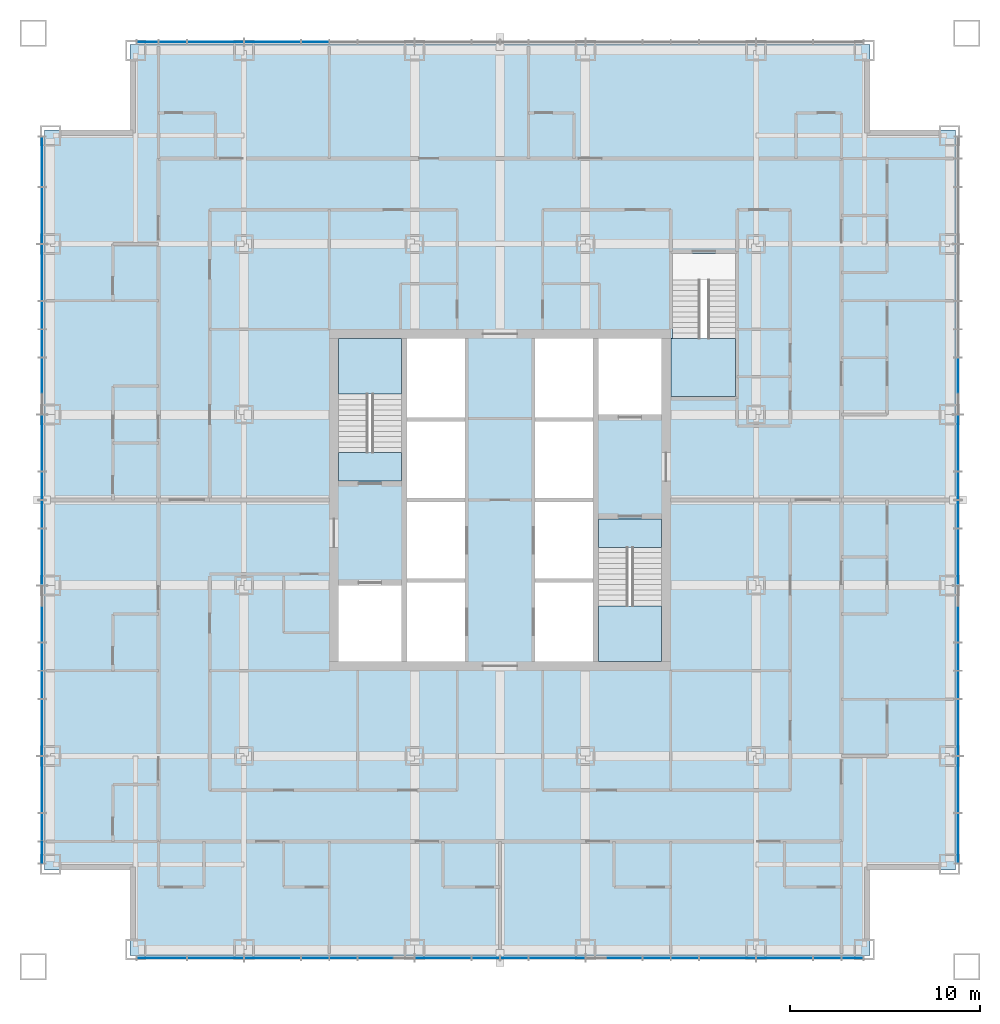
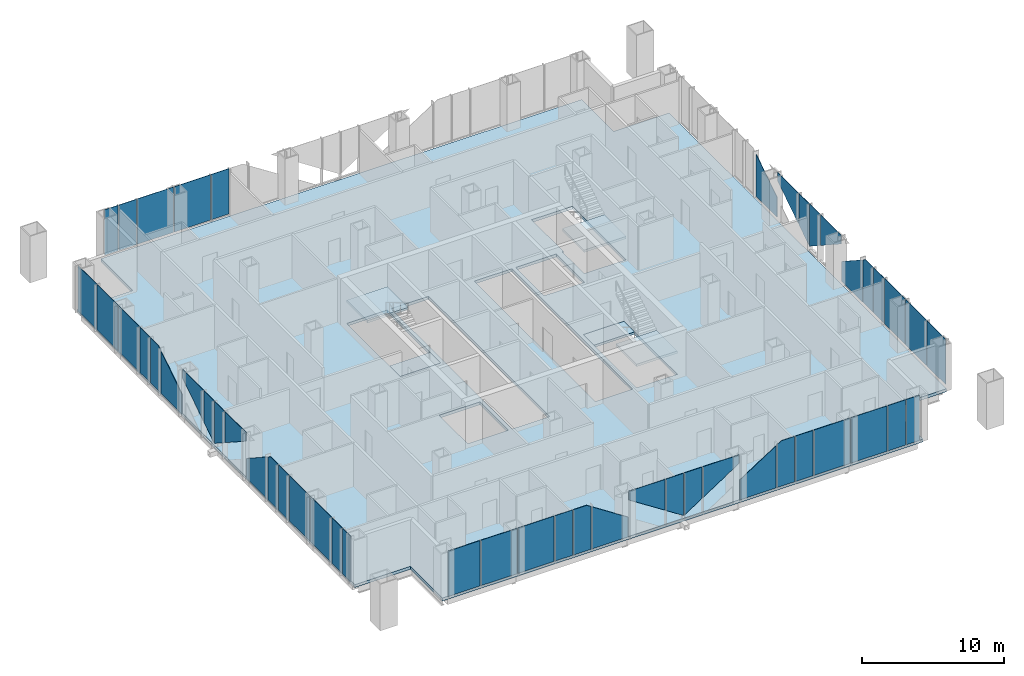
# One storey, part 7 of 13: 50 plates, 6 slabs, 7 elements without a shape of their own.
"""IFC4 building model written with IfcOpenShell, lengths in metres."""

from ifc_helpers import new_model, si_unit, direction, frame, origin, origin_2d, place, context, subcontext, project, spatial, polyline, rectangle, outline, extrude, material, layer, layer_set, type_object, element, aggregate, save


model = new_model("IFC4")

# Units and contexts
model_context = context("Model", 3, precision=1e-05, world=origin(), true_north=direction((0.0, 1.0)))
body_context = subcontext(model_context, "Body", "Model", "MODEL_VIEW")
ifc_project = project(units=[si_unit("LENGTHUNIT", "METRE"), si_unit("AREAUNIT", "SQUARE_METRE"), si_unit("VOLUMEUNIT", "CUBIC_METRE"), si_unit("PLANEANGLEUNIT", "RADIAN"), si_unit("MASSUNIT", "GRAM", prefix="KILO")], contexts=[model_context])

# Site, building, storey
site_placement = place(None, origin())
site = spatial("IfcSite", under=ifc_project, at=site_placement, CompositionType="ELEMENT")
building_placement = place(site_placement, origin())
building = spatial("IfcBuilding", under=site, at=building_placement, Name="Malebo Sky Hospital", CompositionType="ELEMENT")
storey_placement = place(building_placement, frame((0.0, 0.0, 156.0)))
storey = spatial("IfcBuildingStorey", under=building, at=storey_placement, Name="L37", CompositionType="ELEMENT", Elevation=156.0)

# Slab
ifc_material_1 = material(Name="Concrete C40/50", Category="concrete")
ifc_layer_1 = layer(ifc_material_1, 0.25)
ifc_layer_set_1 = layer_set([ifc_layer_1], Name="COMPOSITE FLOOR SLAB 250")
slab_type_1 = type_object("IfcSlabType", Name="COMPOSITE FLOOR SLAB 250", PredefinedType="FLOOR", material=ifc_layer_set_1)
slab_1_placement = place(storey_placement, frame((0.0, 0.0, -0.25)))
element("IfcSlab", 1, at=slab_1_placement, inside=storey, type_object=slab_type_1, Name="Floor slab L37", PredefinedType="FLOOR", context=body_context, shape_type="SweptSolid", body=[
    extrude(outline(polyline([(40.5, 86.0), (40.5, 81.5), (36.0, 81.5), (36.0, 42.5), (40.5, 42.5), (40.5, 38.0), (79.5, 38.0), (79.5, 42.5), (84.0, 42.5), (84.0, 81.5), (79.5, 81.5), (79.5, 86.0), (40.5, 86.0)]), holes=[polyline([(55.10009765625, 70.5), (58.14990234375, 70.5), (58.14990234375, 53.5), (55.10009765625, 53.5), (55.10009765625, 70.5)]), polyline([(64.89990234375, 70.5), (64.89990234375, 53.5), (61.85009765625, 53.5), (61.85009765625, 70.5), (64.89990234375, 70.5)]), polyline([(54.800048828125, 63.0), (51.5, 63.0), (51.5, 70.5), (54.800048828125, 70.5), (54.800048828125, 63.0)]), polyline([(51.5, 53.5), (51.5, 57.5), (54.800048828125, 57.5), (54.800048828125, 53.5), (51.5, 53.5)]), polyline([(65.199951171875, 61.0), (68.5, 61.0), (68.5, 53.5), (65.199951171875, 53.5), (65.199951171875, 61.0)]), polyline([(68.5, 70.5), (68.5, 66.5), (65.199951171875, 66.5), (65.199951171875, 70.5), (68.5, 70.5)]), polyline([(69.0, 67.449951171875), (69.0, 70.52001953125), (69.10009765625, 70.52001953125), (69.10009765625, 75.0), (72.39990234375, 75.0), (72.39990234375, 67.449951171875), (69.10009765625, 67.449951171875), (69.0, 67.449951171875)])]), origin(), (0.0, 0.0, 1.0), 0.25),
])

# Stair, slabs
stair_type_1 = type_object("IfcStairType", Name="HALF-TURN STAIR 1500 R167", PredefinedType="HALF_TURN_STAIR", material=ifc_material_1)
stair_1_placement = place(storey_placement, origin())
stair_1 = element("IfcStair", 2, at=stair_1_placement, inside=storey, type_object=stair_type_1, Name="Stair S1 L37 type ST1", PredefinedType="HALF_TURN_STAIR")
ifc_layer_2 = layer(ifc_material_1, 0.199951171875)
ifc_layer_set_2 = layer_set([ifc_layer_2], Name="STAIR LANDING 200")
slab_type_2 = type_object("IfcSlabType", Name="STAIR LANDING 200", PredefinedType="LANDING", material=ifc_layer_set_2)
slab_2_placement = place(storey_placement, frame((0.0, 0.0, -0.199951171875)))
slab_2 = element("IfcSlab", 3, at=slab_2_placement, type_object=slab_type_2, Name="S1 landing 1", PredefinedType="LANDING", context=body_context, shape_type="SweptSolid", body=[
    extrude(outline(polyline([(51.5, 63.0), (54.800048828125, 63.0), (54.800048828125, 64.5), (51.5, 64.5), (51.5, 63.0)])), origin(), (0.0, 0.0, 1.0), 0.199951171875),
])
slab_3_placement = place(storey_placement, frame((0.0, 0.0, 1.800048828125)))
slab_3 = element("IfcSlab", 4, at=slab_3_placement, type_object=slab_type_2, Name="S1 landing 2", PredefinedType="LANDING", context=body_context, shape_type="SweptSolid", body=[
    extrude(outline(polyline([(51.5, 67.580078125), (54.800048828125, 67.580078125), (54.800048828125, 70.5), (51.5, 70.5), (51.5, 67.580078125)])), origin(), (0.0, 0.0, 1.0), 0.199951171875),
])
aggregate(stair_1, [slab_2, slab_3])

stair_2_placement = place(storey_placement, origin())
stair_2 = element("IfcStair", 5, at=stair_2_placement, inside=storey, type_object=stair_type_1, Name="Stair S2 L37 type ST1", PredefinedType="HALF_TURN_STAIR")
slab_4_placement = place(storey_placement, frame((0.0, 0.0, -0.199951171875)))
slab_4 = element("IfcSlab", 6, at=slab_4_placement, type_object=slab_type_2, Name="S2 landing 1", PredefinedType="LANDING", context=body_context, shape_type="SweptSolid", body=[
    extrude(outline(polyline([(65.199951171875, 59.5), (68.5, 59.5), (68.5, 61.0), (65.199951171875, 61.0), (65.199951171875, 59.5)])), origin(), (0.0, 0.0, 1.0), 0.199951171875),
])
slab_5_placement = place(storey_placement, frame((0.0, 0.0, 1.800048828125)))
slab_5 = element("IfcSlab", 7, at=slab_5_placement, type_object=slab_type_2, Name="S2 landing 2", PredefinedType="LANDING", context=body_context, shape_type="SweptSolid", body=[
    extrude(outline(polyline([(65.199951171875, 53.5), (68.5, 53.5), (68.5, 56.419921875), (65.199951171875, 56.419921875), (65.199951171875, 53.5)])), origin(), (0.0, 0.0, 1.0), 0.199951171875),
])
aggregate(stair_2, [slab_4, slab_5])

# Stair, slab
stair_type_2 = type_object("IfcStairType", Name="HALF-TURN STAIR 1400 R167", PredefinedType="HALF_TURN_STAIR", material=ifc_material_1)
stair_3_placement = place(storey_placement, origin())
stair_3 = element("IfcStair", 8, at=stair_3_placement, inside=storey, type_object=stair_type_2, Name="Stair S3 L37 type ST1B", PredefinedType="HALF_TURN_STAIR")
slab_6_placement = place(storey_placement, frame((0.0, 0.0, 1.800048828125)))
slab_6 = element("IfcSlab", 9, at=slab_6_placement, type_object=slab_type_2, Name="S3 landing 2", PredefinedType="LANDING", context=body_context, shape_type="SweptSolid", body=[
    extrude(outline(polyline([(69.0, 67.449951171875), (72.39990234375, 67.449951171875), (72.39990234375, 70.52001953125), (69.0, 70.52001953125), (69.0, 67.449951171875)])), origin(), (0.0, 0.0, 1.0), 0.199951171875),
])
aggregate(stair_3, [slab_6])

# Curtain wall, plates
ifc_material_2 = material(Name="Anodised aluminium, natural silver", Category="aluminium")
ifc_layer_3 = layer(ifc_material_2, 0.25)
ifc_layer_set_3 = layer_set([ifc_layer_3], Name="WARD CURTAIN WALL NORTH AND SOUTH")
curtain_wall_type_1 = type_object("IfcCurtainWallType", Name="WARD CURTAIN WALL NORTH AND SOUTH", PredefinedType="NOTDEFINED", material=ifc_layer_set_3)
curtain_wall_1_placement = place(storey_placement, origin())
curtain_wall_1 = element("IfcCurtainWall", 10, at=curtain_wall_1_placement, inside=storey, type_object=curtain_wall_type_1, Name="NS curtain wall N", PredefinedType="NOTDEFINED")
ifc_material_3 = material(Name="Clear low-iron double glazing", Category="glass")
ifc_layer_4 = layer(ifc_material_3, 0.031982421875)
ifc_layer_set_4 = layer_set([ifc_layer_4], Name="VISION PANEL CLEAR 32")
plate_type = type_object("IfcPlateType", Name="VISION PANEL CLEAR 32", PredefinedType="CURTAIN_PANEL", material=ifc_layer_set_4)
plate_1_placement = place(storey_placement, frame((41.418701171875, 86.135009765625, 0.10009765625), z_axis=(0.0, 0.0, 1.0), x_axis=(1.0, 0.0, 0.0)))
plate_1 = element("IfcPlate", 11, at=plate_1_placement, type_object=plate_type, Name="Panel 1", PredefinedType="CURTAIN_PANEL", context=body_context, shape_type="SweptSolid", body=[
    extrude(rectangle(XDim=1.08740234375, YDim=0.031982421875, at=origin_2d()), origin(), (0.0, 0.0, 1.0), 3.889892578125),
])
plate_2_placement = place(storey_placement, frame((42.75, 86.135009765625, 0.10009765625), z_axis=(0.0, 0.0, 1.0), x_axis=(1.0, 0.0, 0.0)))
plate_2 = element("IfcPlate", 12, at=plate_2_placement, type_object=plate_type, Name="Panel 2", PredefinedType="CURTAIN_PANEL", context=body_context, shape_type="SweptSolid", body=[
    extrude(rectangle(XDim=1.425048828125, YDim=0.031982421875, at=origin_2d()), origin(), (0.0, 0.0, 1.0), 3.889892578125),
])
plate_3_placement = place(storey_placement, frame((45.0, 86.135009765625, 0.10009765625), z_axis=(0.0, 0.0, 1.0), x_axis=(1.0, 0.0, 0.0)))
plate_3 = element("IfcPlate", 13, at=plate_3_placement, type_object=plate_type, Name="Panel 3", PredefinedType="CURTAIN_PANEL", context=body_context, shape_type="SweptSolid", body=[
    extrude(rectangle(XDim=2.925048828125, YDim=0.031982421875, at=origin_2d()), origin(), (0.0, 0.0, 1.0), 3.889892578125),
])
plate_4_placement = place(storey_placement, frame((48.0, 86.135009765625, 0.10009765625), z_axis=(0.0, 0.0, 1.0), x_axis=(1.0, 0.0, 0.0)))
plate_4 = element("IfcPlate", 14, at=plate_4_placement, type_object=plate_type, Name="Panel 4", PredefinedType="CURTAIN_PANEL", context=body_context, shape_type="SweptSolid", body=[
    extrude(rectangle(XDim=2.925048828125, YDim=0.031982421875, at=origin_2d()), origin(), (0.0, 0.0, 1.0), 3.889892578125),
])
plate_5_placement = place(storey_placement, frame((50.25, 86.135009765625, 0.10009765625), z_axis=(0.0, 0.0, 1.0), x_axis=(1.0, 0.0, 0.0)))
plate_5 = element("IfcPlate", 15, at=plate_5_placement, type_object=plate_type, Name="Panel 5", PredefinedType="CURTAIN_PANEL", context=body_context, shape_type="SweptSolid", body=[
    extrude(rectangle(XDim=1.425048828125, YDim=0.031982421875, at=origin_2d()), origin(), (0.0, 0.0, 1.0), 3.889892578125),
])
aggregate(curtain_wall_1, [plate_1, plate_2, plate_3, plate_4, plate_5])

ifc_layer_5 = layer(ifc_material_2, 0.25)
ifc_layer_set_5 = layer_set([ifc_layer_5], Name="WARD CURTAIN WALL EAST AND WEST")
curtain_wall_type_2 = type_object("IfcCurtainWallType", Name="WARD CURTAIN WALL EAST AND WEST", PredefinedType="NOTDEFINED", material=ifc_layer_set_5)
curtain_wall_2_placement = place(storey_placement, origin())
curtain_wall_2 = element("IfcCurtainWall", 16, at=curtain_wall_2_placement, inside=storey, type_object=curtain_wall_type_2, Name="EW curtain wall W", PredefinedType="NOTDEFINED")
plate_6_placement = place(storey_placement, frame((35.864990234375, 43.418701171875, 0.10009765625), z_axis=(0.0, 0.0, 1.0), x_axis=(0.0, 1.0, 0.0)))
plate_6 = element("IfcPlate", 17, at=plate_6_placement, type_object=plate_type, Name="Panel 1", PredefinedType="CURTAIN_PANEL", context=body_context, shape_type="SweptSolid", body=[
    extrude(rectangle(XDim=1.08740234375, YDim=0.031982421875, at=origin_2d()), origin(), (0.0, 0.0, 1.0), 3.889892578125),
])
plate_7_placement = place(storey_placement, frame((35.864990234375, 44.75, 0.10009765625), z_axis=(0.0, 0.0, 1.0), x_axis=(0.0, 1.0, 0.0)))
plate_7 = element("IfcPlate", 18, at=plate_7_placement, type_object=plate_type, Name="Panel 2", PredefinedType="CURTAIN_PANEL", context=body_context, shape_type="SweptSolid", body=[
    extrude(rectangle(XDim=1.425048828125, YDim=0.031982421875, at=origin_2d()), origin(), (0.0, 0.0, 1.0), 3.889892578125),
])
plate_8_placement = place(storey_placement, frame((35.864990234375, 47.0, 0.10009765625), z_axis=(0.0, 0.0, 1.0), x_axis=(0.0, 1.0, 0.0)))
plate_8 = element("IfcPlate", 19, at=plate_8_placement, type_object=plate_type, Name="Panel 3", PredefinedType="CURTAIN_PANEL", context=body_context, shape_type="SweptSolid", body=[
    extrude(rectangle(XDim=2.925048828125, YDim=0.031982421875, at=origin_2d()), origin(), (0.0, 0.0, 1.0), 3.889892578125),
])
plate_9_placement = place(storey_placement, frame((35.864990234375, 50.0, 0.10009765625), z_axis=(0.0, 0.0, 1.0), x_axis=(0.0, 1.0, 0.0)))
plate_9 = element("IfcPlate", 20, at=plate_9_placement, type_object=plate_type, Name="Panel 4", PredefinedType="CURTAIN_PANEL", context=body_context, shape_type="SweptSolid", body=[
    extrude(rectangle(XDim=2.925048828125, YDim=0.031982421875, at=origin_2d()), origin(), (0.0, 0.0, 1.0), 3.889892578125),
])
plate_10_placement = place(storey_placement, frame((35.864990234375, 52.25, 0.10009765625), z_axis=(0.0, 0.0, 1.0), x_axis=(0.0, 1.0, 0.0)))
plate_10 = element("IfcPlate", 21, at=plate_10_placement, type_object=plate_type, Name="Panel 5", PredefinedType="CURTAIN_PANEL", context=body_context, shape_type="SweptSolid", body=[
    extrude(rectangle(XDim=1.425048828125, YDim=0.031982421875, at=origin_2d()), origin(), (0.0, 0.0, 1.0), 3.889892578125),
])
plate_11_placement = place(storey_placement, frame((35.864990234375, 53.75, 0.10009765625), z_axis=(0.0, 0.0, 1.0), x_axis=(0.0, 1.0, 0.0)))
plate_11 = element("IfcPlate", 22, at=plate_11_placement, type_object=plate_type, Name="Panel 6", PredefinedType="CURTAIN_PANEL", context=body_context, shape_type="SweptSolid", body=[
    extrude(outline(polyline([(-0.71240234375, 0.0), (0.71240234375, 0.0), (0.71240234375, 3.656494140625), (0.353271484375, 3.889892578125), (-0.71240234375, 3.889892578125), (-0.71240234375, 0.0)])), frame((0.0, 0.01611328125, 0.0), z_axis=(0.0, -1.0, 0.0), x_axis=(1.0, 0.0, 0.0)), (0.0, 0.0, 1.0), 0.031982421875),
])
plate_12_placement = place(storey_placement, frame((35.864990234375, 56.0, 0.10009765625), z_axis=(0.0, 0.0, 1.0), x_axis=(0.0, 1.0, 0.0)))
plate_12 = element("IfcPlate", 23, at=plate_12_placement, type_object=plate_type, Name="Panel 7", PredefinedType="CURTAIN_PANEL", context=body_context, shape_type="SweptSolid", body=[
    extrude(outline(polyline([(-1.46240234375, 0.0), (1.46240234375, 0.0), (1.46240234375, 1.705078125), (-1.46240234375, 3.607666015625), (-1.46240234375, 0.0)])), frame((0.0, 0.01611328125, 0.0), z_axis=(0.0, -1.0, 0.0), x_axis=(1.0, 0.0, 0.0)), (0.0, 0.0, 1.0), 0.031982421875),
])
plate_13_placement = place(storey_placement, frame((35.864990234375, 59.0, 1.34619140625), z_axis=(0.0, 0.0, 1.0), x_axis=(0.0, 1.0, 0.0)))
plate_13 = element("IfcPlate", 24, at=plate_13_placement, type_object=plate_type, Name="Panel 8", PredefinedType="CURTAIN_PANEL", context=body_context, shape_type="SweptSolid", body=[
    extrude(outline(polyline([(1.46240234375, 0.0), (1.46240234375, 2.643798828125), (-1.46240234375, 2.643798828125), (-1.46240234375, 1.90234375), (1.46240234375, 0.0)])), frame((0.0, 0.01611328125, 0.0), z_axis=(0.0, -1.0, 0.0), x_axis=(1.0, 0.0, 0.0)), (0.0, 0.0, 1.0), 0.031982421875),
])
plate_14_placement = place(storey_placement, frame((35.864990234375, 61.25, 0.37060546875), z_axis=(0.0, 0.0, 1.0), x_axis=(0.0, 1.0, 0.0)))
plate_14 = element("IfcPlate", 25, at=plate_14_placement, type_object=plate_type, Name="Panel 9", PredefinedType="CURTAIN_PANEL", context=body_context, shape_type="SweptSolid", body=[
    extrude(outline(polyline([(0.71240234375, 0.0), (0.71240234375, 3.619384765625), (-0.71240234375, 3.619384765625), (-0.71240234375, 0.9267578125), (0.71240234375, 0.0)])), frame((0.0, 0.01611328125, 0.0), z_axis=(0.0, -1.0, 0.0), x_axis=(1.0, 0.0, 0.0)), (0.0, 0.0, 1.0), 0.031982421875),
])
plate_15_placement = place(storey_placement, frame((35.864990234375, 62.75, 0.37060546875), z_axis=(0.0, 0.0, 1.0), x_axis=(0.0, 1.0, 0.0)))
plate_15 = element("IfcPlate", 26, at=plate_15_placement, type_object=plate_type, Name="Panel 10", PredefinedType="CURTAIN_PANEL", context=body_context, shape_type="SweptSolid", body=[
    extrude(outline(polyline([(-0.71240234375, 0.0), (0.71240234375, 0.9267578125), (0.71240234375, 3.619384765625), (-0.71240234375, 3.619384765625), (-0.71240234375, 0.0)])), frame((0.0, 0.01611328125, 0.0), z_axis=(0.0, -1.0, 0.0), x_axis=(1.0, 0.0, 0.0)), (0.0, 0.0, 1.0), 0.031982421875),
])
plate_16_placement = place(storey_placement, frame((35.864990234375, 65.0, 1.34619140625), z_axis=(0.0, 0.0, 1.0), x_axis=(0.0, 1.0, 0.0)))
plate_16 = element("IfcPlate", 27, at=plate_16_placement, type_object=plate_type, Name="Panel 11", PredefinedType="CURTAIN_PANEL", context=body_context, shape_type="SweptSolid", body=[
    extrude(outline(polyline([(-1.46240234375, 0.0), (1.46240234375, 1.90234375), (1.46240234375, 2.643798828125), (-1.46240234375, 2.643798828125), (-1.46240234375, 0.0)])), frame((0.0, 0.01611328125, 0.0), z_axis=(0.0, -1.0, 0.0), x_axis=(1.0, 0.0, 0.0)), (0.0, 0.0, 1.0), 0.031982421875),
])
plate_17_placement = place(storey_placement, frame((35.864990234375, 68.0, 0.10009765625), z_axis=(0.0, 0.0, 1.0), x_axis=(0.0, 1.0, 0.0)))
plate_17 = element("IfcPlate", 28, at=plate_17_placement, type_object=plate_type, Name="Panel 12", PredefinedType="CURTAIN_PANEL", context=body_context, shape_type="SweptSolid", body=[
    extrude(outline(polyline([(-1.46240234375, 0.0), (1.46240234375, 0.0), (1.46240234375, 3.607666015625), (-1.46240234375, 1.705078125), (-1.46240234375, 0.0)])), frame((0.0, 0.01611328125, 0.0), z_axis=(0.0, -1.0, 0.0), x_axis=(1.0, 0.0, 0.0)), (0.0, 0.0, 1.0), 0.031982421875),
])
plate_18_placement = place(storey_placement, frame((35.864990234375, 70.25, 0.10009765625), z_axis=(0.0, 0.0, 1.0), x_axis=(0.0, 1.0, 0.0)))
plate_18 = element("IfcPlate", 29, at=plate_18_placement, type_object=plate_type, Name="Panel 13", PredefinedType="CURTAIN_PANEL", context=body_context, shape_type="SweptSolid", body=[
    extrude(outline(polyline([(-0.71240234375, 0.0), (0.71240234375, 0.0), (0.71240234375, 3.889892578125), (-0.353271484375, 3.889892578125), (-0.71240234375, 3.656494140625), (-0.71240234375, 0.0)])), frame((0.0, 0.01611328125, 0.0), z_axis=(0.0, -1.0, 0.0), x_axis=(1.0, 0.0, 0.0)), (0.0, 0.0, 1.0), 0.031982421875),
])
plate_19_placement = place(storey_placement, frame((35.864990234375, 71.75, 0.10009765625), z_axis=(0.0, 0.0, 1.0), x_axis=(0.0, 1.0, 0.0)))
plate_19 = element("IfcPlate", 30, at=plate_19_placement, type_object=plate_type, Name="Panel 14", PredefinedType="CURTAIN_PANEL", context=body_context, shape_type="SweptSolid", body=[
    extrude(rectangle(XDim=1.425048828125, YDim=0.031982421875, at=origin_2d()), origin(), (0.0, 0.0, 1.0), 3.889892578125),
])
plate_20_placement = place(storey_placement, frame((35.864990234375, 74.0, 0.10009765625), z_axis=(0.0, 0.0, 1.0), x_axis=(0.0, 1.0, 0.0)))
plate_20 = element("IfcPlate", 31, at=plate_20_placement, type_object=plate_type, Name="Panel 15", PredefinedType="CURTAIN_PANEL", context=body_context, shape_type="SweptSolid", body=[
    extrude(rectangle(XDim=2.925048828125, YDim=0.031982421875, at=origin_2d()), origin(), (0.0, 0.0, 1.0), 3.889892578125),
])
plate_21_placement = place(storey_placement, frame((35.864990234375, 77.0, 0.10009765625), z_axis=(0.0, 0.0, 1.0), x_axis=(0.0, 1.0, 0.0)))
plate_21 = element("IfcPlate", 32, at=plate_21_placement, type_object=plate_type, Name="Panel 16", PredefinedType="CURTAIN_PANEL", context=body_context, shape_type="SweptSolid", body=[
    extrude(rectangle(XDim=2.925048828125, YDim=0.031982421875, at=origin_2d()), origin(), (0.0, 0.0, 1.0), 3.889892578125),
])
plate_22_placement = place(storey_placement, frame((35.864990234375, 79.831298828125, 0.10009765625), z_axis=(0.0, 0.0, 1.0), x_axis=(0.0, 1.0, 0.0)))
plate_22 = element("IfcPlate", 33, at=plate_22_placement, type_object=plate_type, Name="Panel 17", PredefinedType="CURTAIN_PANEL", context=body_context, shape_type="SweptSolid", body=[
    extrude(rectangle(XDim=2.58740234375, YDim=0.031982421875, at=origin_2d()), origin(), (0.0, 0.0, 1.0), 3.889892578125),
])
aggregate(curtain_wall_2, [plate_6, plate_7, plate_8, plate_9, plate_10, plate_11, plate_12, plate_13, plate_14, plate_15, plate_16, plate_17, plate_18, plate_19, plate_20, plate_21, plate_22])

curtain_wall_3_placement = place(storey_placement, origin())
curtain_wall_3 = element("IfcCurtainWall", 34, at=curtain_wall_3_placement, inside=storey, type_object=curtain_wall_type_1, Name="NS curtain wall S", PredefinedType="NOTDEFINED")
plate_23_placement = place(storey_placement, frame((78.581298828125, 37.864990234375, 0.10009765625), z_axis=(0.0, 0.0, 1.0), x_axis=(-1.0, 0.0, 0.0)))
plate_23 = element("IfcPlate", 35, at=plate_23_placement, type_object=plate_type, Name="Panel 1", PredefinedType="CURTAIN_PANEL", context=body_context, shape_type="SweptSolid", body=[
    extrude(rectangle(XDim=1.08740234375, YDim=0.031982421875, at=origin_2d()), origin(), (0.0, 0.0, 1.0), 3.889892578125),
])
plate_24_placement = place(storey_placement, frame((77.25, 37.864990234375, 0.10009765625), z_axis=(0.0, 0.0, 1.0), x_axis=(-1.0, 0.0, 0.0)))
plate_24 = element("IfcPlate", 36, at=plate_24_placement, type_object=plate_type, Name="Panel 2", PredefinedType="CURTAIN_PANEL", context=body_context, shape_type="SweptSolid", body=[
    extrude(rectangle(XDim=1.425048828125, YDim=0.031982421875, at=origin_2d()), origin(), (0.0, 0.0, 1.0), 3.889892578125),
])
plate_25_placement = place(storey_placement, frame((75.0, 37.864990234375, 0.10009765625), z_axis=(0.0, 0.0, 1.0), x_axis=(-1.0, 0.0, 0.0)))
plate_25 = element("IfcPlate", 37, at=plate_25_placement, type_object=plate_type, Name="Panel 3", PredefinedType="CURTAIN_PANEL", context=body_context, shape_type="SweptSolid", body=[
    extrude(rectangle(XDim=2.925048828125, YDim=0.031982421875, at=origin_2d()), origin(), (0.0, 0.0, 1.0), 3.889892578125),
])
plate_26_placement = place(storey_placement, frame((72.0, 37.864990234375, 0.10009765625), z_axis=(0.0, 0.0, 1.0), x_axis=(-1.0, 0.0, 0.0)))
plate_26 = element("IfcPlate", 38, at=plate_26_placement, type_object=plate_type, Name="Panel 4", PredefinedType="CURTAIN_PANEL", context=body_context, shape_type="SweptSolid", body=[
    extrude(rectangle(XDim=2.925048828125, YDim=0.031982421875, at=origin_2d()), origin(), (0.0, 0.0, 1.0), 3.889892578125),
])
plate_27_placement = place(storey_placement, frame((69.75, 37.864990234375, 0.10009765625), z_axis=(0.0, 0.0, 1.0), x_axis=(-1.0, 0.0, 0.0)))
plate_27 = element("IfcPlate", 39, at=plate_27_placement, type_object=plate_type, Name="Panel 5", PredefinedType="CURTAIN_PANEL", context=body_context, shape_type="SweptSolid", body=[
    extrude(rectangle(XDim=1.425048828125, YDim=0.031982421875, at=origin_2d()), origin(), (0.0, 0.0, 1.0), 3.889892578125),
])
plate_28_placement = place(storey_placement, frame((68.25, 37.864990234375, 0.10009765625), z_axis=(0.0, 0.0, 1.0), x_axis=(-1.0, 0.0, 0.0)))
plate_28 = element("IfcPlate", 40, at=plate_28_placement, type_object=plate_type, Name="Panel 6", PredefinedType="CURTAIN_PANEL", context=body_context, shape_type="SweptSolid", body=[
    extrude(outline(polyline([(-0.71240234375, 0.0), (0.71240234375, 0.0), (0.71240234375, 3.656494140625), (0.353271484375, 3.889892578125), (-0.71240234375, 3.889892578125), (-0.71240234375, 0.0)])), frame((0.0, 0.01611328125, 0.0), z_axis=(0.0, -1.0, 0.0), x_axis=(1.0, 0.0, 0.0)), (0.0, 0.0, 1.0), 0.031982421875),
])
plate_29_placement = place(storey_placement, frame((66.0, 37.864990234375, 0.10009765625), z_axis=(0.0, 0.0, 1.0), x_axis=(-1.0, 0.0, 0.0)))
plate_29 = element("IfcPlate", 41, at=plate_29_placement, type_object=plate_type, Name="Panel 7", PredefinedType="CURTAIN_PANEL", context=body_context, shape_type="SweptSolid", body=[
    extrude(outline(polyline([(-1.46240234375, 0.0), (1.46240234375, 0.0), (1.46240234375, 1.705078125), (-1.46240234375, 3.607666015625), (-1.46240234375, 0.0)])), frame((0.0, 0.01611328125, 0.0), z_axis=(0.0, -1.0, 0.0), x_axis=(1.0, 0.0, 0.0)), (0.0, 0.0, 1.0), 0.031982421875),
])
plate_30_placement = place(storey_placement, frame((63.0, 37.864990234375, 1.34619140625), z_axis=(0.0, 0.0, 1.0), x_axis=(-1.0, 0.0, 0.0)))
plate_30 = element("IfcPlate", 42, at=plate_30_placement, type_object=plate_type, Name="Panel 8", PredefinedType="CURTAIN_PANEL", context=body_context, shape_type="SweptSolid", body=[
    extrude(outline(polyline([(1.46240234375, 0.0), (1.46240234375, 2.643798828125), (-1.46240234375, 2.643798828125), (-1.46240234375, 1.90234375), (1.46240234375, 0.0)])), frame((0.0, 0.01611328125, 0.0), z_axis=(0.0, -1.0, 0.0), x_axis=(1.0, 0.0, 0.0)), (0.0, 0.0, 1.0), 0.031982421875),
])
plate_31_placement = place(storey_placement, frame((60.75, 37.864990234375, 0.37060546875), z_axis=(0.0, 0.0, 1.0), x_axis=(-1.0, 0.0, 0.0)))
plate_31 = element("IfcPlate", 43, at=plate_31_placement, type_object=plate_type, Name="Panel 9", PredefinedType="CURTAIN_PANEL", context=body_context, shape_type="SweptSolid", body=[
    extrude(outline(polyline([(0.71240234375, 0.0), (0.71240234375, 3.619384765625), (-0.71240234375, 3.619384765625), (-0.71240234375, 0.9267578125), (0.71240234375, 0.0)])), frame((0.0, 0.01611328125, 0.0), z_axis=(0.0, -1.0, 0.0), x_axis=(1.0, 0.0, 0.0)), (0.0, 0.0, 1.0), 0.031982421875),
])
plate_32_placement = place(storey_placement, frame((59.25, 37.864990234375, 0.37060546875), z_axis=(0.0, 0.0, 1.0), x_axis=(-1.0, 0.0, 0.0)))
plate_32 = element("IfcPlate", 44, at=plate_32_placement, type_object=plate_type, Name="Panel 10", PredefinedType="CURTAIN_PANEL", context=body_context, shape_type="SweptSolid", body=[
    extrude(outline(polyline([(-0.71240234375, 0.0), (0.71240234375, 0.9267578125), (0.71240234375, 3.619384765625), (-0.71240234375, 3.619384765625), (-0.71240234375, 0.0)])), frame((0.0, 0.01611328125, 0.0), z_axis=(0.0, -1.0, 0.0), x_axis=(1.0, 0.0, 0.0)), (0.0, 0.0, 1.0), 0.031982421875),
])
plate_33_placement = place(storey_placement, frame((57.0, 37.864990234375, 1.34619140625), z_axis=(0.0, 0.0, 1.0), x_axis=(-1.0, 0.0, 0.0)))
plate_33 = element("IfcPlate", 45, at=plate_33_placement, type_object=plate_type, Name="Panel 11", PredefinedType="CURTAIN_PANEL", context=body_context, shape_type="SweptSolid", body=[
    extrude(outline(polyline([(-1.46240234375, 0.0), (1.46240234375, 1.90234375), (1.46240234375, 2.643798828125), (-1.46240234375, 2.643798828125), (-1.46240234375, 0.0)])), frame((0.0, 0.01611328125, 0.0), z_axis=(0.0, -1.0, 0.0), x_axis=(1.0, 0.0, 0.0)), (0.0, 0.0, 1.0), 0.031982421875),
])
plate_34_placement = place(storey_placement, frame((54.0, 37.864990234375, 0.10009765625), z_axis=(0.0, 0.0, 1.0), x_axis=(-1.0, 0.0, 0.0)))
plate_34 = element("IfcPlate", 46, at=plate_34_placement, type_object=plate_type, Name="Panel 12", PredefinedType="CURTAIN_PANEL", context=body_context, shape_type="SweptSolid", body=[
    extrude(outline(polyline([(-1.46240234375, 0.0), (1.46240234375, 0.0), (1.46240234375, 3.607666015625), (-1.46240234375, 1.705078125), (-1.46240234375, 0.0)])), frame((0.0, 0.01611328125, 0.0), z_axis=(0.0, -1.0, 0.0), x_axis=(1.0, 0.0, 0.0)), (0.0, 0.0, 1.0), 0.031982421875),
])
plate_35_placement = place(storey_placement, frame((51.75, 37.864990234375, 0.10009765625), z_axis=(0.0, 0.0, 1.0), x_axis=(-1.0, 0.0, 0.0)))
plate_35 = element("IfcPlate", 47, at=plate_35_placement, type_object=plate_type, Name="Panel 13", PredefinedType="CURTAIN_PANEL", context=body_context, shape_type="SweptSolid", body=[
    extrude(outline(polyline([(-0.71240234375, 0.0), (0.71240234375, 0.0), (0.71240234375, 3.889892578125), (-0.353271484375, 3.889892578125), (-0.71240234375, 3.656494140625), (-0.71240234375, 0.0)])), frame((0.0, 0.01611328125, 0.0), z_axis=(0.0, -1.0, 0.0), x_axis=(1.0, 0.0, 0.0)), (0.0, 0.0, 1.0), 0.031982421875),
])
plate_36_placement = place(storey_placement, frame((50.25, 37.864990234375, 0.10009765625), z_axis=(0.0, 0.0, 1.0), x_axis=(-1.0, 0.0, 0.0)))
plate_36 = element("IfcPlate", 48, at=plate_36_placement, type_object=plate_type, Name="Panel 14", PredefinedType="CURTAIN_PANEL", context=body_context, shape_type="SweptSolid", body=[
    extrude(rectangle(XDim=1.425048828125, YDim=0.031982421875, at=origin_2d()), origin(), (0.0, 0.0, 1.0), 3.889892578125),
])
plate_37_placement = place(storey_placement, frame((48.0, 37.864990234375, 0.10009765625), z_axis=(0.0, 0.0, 1.0), x_axis=(-1.0, 0.0, 0.0)))
plate_37 = element("IfcPlate", 49, at=plate_37_placement, type_object=plate_type, Name="Panel 15", PredefinedType="CURTAIN_PANEL", context=body_context, shape_type="SweptSolid", body=[
    extrude(rectangle(XDim=2.925048828125, YDim=0.031982421875, at=origin_2d()), origin(), (0.0, 0.0, 1.0), 3.889892578125),
])
plate_38_placement = place(storey_placement, frame((45.0, 37.864990234375, 0.10009765625), z_axis=(0.0, 0.0, 1.0), x_axis=(-1.0, 0.0, 0.0)))
plate_38 = element("IfcPlate", 50, at=plate_38_placement, type_object=plate_type, Name="Panel 16", PredefinedType="CURTAIN_PANEL", context=body_context, shape_type="SweptSolid", body=[
    extrude(rectangle(XDim=2.925048828125, YDim=0.031982421875, at=origin_2d()), origin(), (0.0, 0.0, 1.0), 3.889892578125),
])
plate_39_placement = place(storey_placement, frame((42.168701171875, 37.864990234375, 0.10009765625), z_axis=(0.0, 0.0, 1.0), x_axis=(-1.0, 0.0, 0.0)))
plate_39 = element("IfcPlate", 51, at=plate_39_placement, type_object=plate_type, Name="Panel 17", PredefinedType="CURTAIN_PANEL", context=body_context, shape_type="SweptSolid", body=[
    extrude(rectangle(XDim=2.58740234375, YDim=0.031982421875, at=origin_2d()), origin(), (0.0, 0.0, 1.0), 3.889892578125),
])
aggregate(curtain_wall_3, [plate_23, plate_24, plate_25, plate_26, plate_27, plate_28, plate_29, plate_30, plate_31, plate_32, plate_33, plate_34, plate_35, plate_36, plate_37, plate_38, plate_39])

curtain_wall_4_placement = place(storey_placement, origin())
curtain_wall_4 = element("IfcCurtainWall", 52, at=curtain_wall_4_placement, inside=storey, type_object=curtain_wall_type_2, Name="EW curtain wall E", PredefinedType="NOTDEFINED")
plate_40_placement = place(storey_placement, frame((84.135009765625, 68.0, 0.10009765625), z_axis=(0.0, 0.0, 1.0), x_axis=(0.0, -1.0, 0.0)))
plate_40 = element("IfcPlate", 53, at=plate_40_placement, type_object=plate_type, Name="Panel 7", PredefinedType="CURTAIN_PANEL", context=body_context, shape_type="SweptSolid", body=[
    extrude(outline(polyline([(-1.46240234375, 0.0), (1.46240234375, 0.0), (1.46240234375, 1.705078125), (-1.46240234375, 3.607666015625), (-1.46240234375, 0.0)])), frame((0.0, 0.01611328125, 0.0), z_axis=(0.0, -1.0, 0.0), x_axis=(1.0, 0.0, 0.0)), (0.0, 0.0, 1.0), 0.031982421875),
])
plate_41_placement = place(storey_placement, frame((84.135009765625, 65.0, 1.34619140625), z_axis=(0.0, 0.0, 1.0), x_axis=(0.0, -1.0, 0.0)))
plate_41 = element("IfcPlate", 54, at=plate_41_placement, type_object=plate_type, Name="Panel 8", PredefinedType="CURTAIN_PANEL", context=body_context, shape_type="SweptSolid", body=[
    extrude(outline(polyline([(1.46240234375, 0.0), (1.46240234375, 2.643798828125), (-1.46240234375, 2.643798828125), (-1.46240234375, 1.90234375), (1.46240234375, 0.0)])), frame((0.0, 0.01611328125, 0.0), z_axis=(0.0, -1.0, 0.0), x_axis=(1.0, 0.0, 0.0)), (0.0, 0.0, 1.0), 0.031982421875),
])
plate_42_placement = place(storey_placement, frame((84.135009765625, 62.75, 0.37060546875), z_axis=(0.0, 0.0, 1.0), x_axis=(0.0, -1.0, 0.0)))
plate_42 = element("IfcPlate", 55, at=plate_42_placement, type_object=plate_type, Name="Panel 9", PredefinedType="CURTAIN_PANEL", context=body_context, shape_type="SweptSolid", body=[
    extrude(outline(polyline([(0.71240234375, 0.0), (0.71240234375, 3.619384765625), (-0.71240234375, 3.619384765625), (-0.71240234375, 0.9267578125), (0.71240234375, 0.0)])), frame((0.0, 0.01611328125, 0.0), z_axis=(0.0, -1.0, 0.0), x_axis=(1.0, 0.0, 0.0)), (0.0, 0.0, 1.0), 0.031982421875),
])
plate_43_placement = place(storey_placement, frame((84.135009765625, 61.25, 0.37060546875), z_axis=(0.0, 0.0, 1.0), x_axis=(0.0, -1.0, 0.0)))
plate_43 = element("IfcPlate", 56, at=plate_43_placement, type_object=plate_type, Name="Panel 10", PredefinedType="CURTAIN_PANEL", context=body_context, shape_type="SweptSolid", body=[
    extrude(outline(polyline([(-0.71240234375, 0.0), (0.71240234375, 0.9267578125), (0.71240234375, 3.619384765625), (-0.71240234375, 3.619384765625), (-0.71240234375, 0.0)])), frame((0.0, 0.01611328125, 0.0), z_axis=(0.0, -1.0, 0.0), x_axis=(1.0, 0.0, 0.0)), (0.0, 0.0, 1.0), 0.031982421875),
])
plate_44_placement = place(storey_placement, frame((84.135009765625, 59.0, 1.34619140625), z_axis=(0.0, 0.0, 1.0), x_axis=(0.0, -1.0, 0.0)))
plate_44 = element("IfcPlate", 57, at=plate_44_placement, type_object=plate_type, Name="Panel 11", PredefinedType="CURTAIN_PANEL", context=body_context, shape_type="SweptSolid", body=[
    extrude(outline(polyline([(-1.46240234375, 0.0), (1.46240234375, 1.90234375), (1.46240234375, 2.643798828125), (-1.46240234375, 2.643798828125), (-1.46240234375, 0.0)])), frame((0.0, 0.01611328125, 0.0), z_axis=(0.0, -1.0, 0.0), x_axis=(1.0, 0.0, 0.0)), (0.0, 0.0, 1.0), 0.031982421875),
])
plate_45_placement = place(storey_placement, frame((84.135009765625, 56.0, 0.10009765625), z_axis=(0.0, 0.0, 1.0), x_axis=(0.0, -1.0, 0.0)))
plate_45 = element("IfcPlate", 58, at=plate_45_placement, type_object=plate_type, Name="Panel 12", PredefinedType="CURTAIN_PANEL", context=body_context, shape_type="SweptSolid", body=[
    extrude(outline(polyline([(-1.46240234375, 0.0), (1.46240234375, 0.0), (1.46240234375, 3.607666015625), (-1.46240234375, 1.705078125), (-1.46240234375, 0.0)])), frame((0.0, 0.01611328125, 0.0), z_axis=(0.0, -1.0, 0.0), x_axis=(1.0, 0.0, 0.0)), (0.0, 0.0, 1.0), 0.031982421875),
])
plate_46_placement = place(storey_placement, frame((84.135009765625, 53.75, 0.10009765625), z_axis=(0.0, 0.0, 1.0), x_axis=(0.0, -1.0, 0.0)))
plate_46 = element("IfcPlate", 59, at=plate_46_placement, type_object=plate_type, Name="Panel 13", PredefinedType="CURTAIN_PANEL", context=body_context, shape_type="SweptSolid", body=[
    extrude(outline(polyline([(-0.71240234375, 0.0), (0.71240234375, 0.0), (0.71240234375, 3.889892578125), (-0.353271484375, 3.889892578125), (-0.71240234375, 3.656494140625), (-0.71240234375, 0.0)])), frame((0.0, 0.01611328125, 0.0), z_axis=(0.0, -1.0, 0.0), x_axis=(1.0, 0.0, 0.0)), (0.0, 0.0, 1.0), 0.031982421875),
])
plate_47_placement = place(storey_placement, frame((84.135009765625, 52.25, 0.10009765625), z_axis=(0.0, 0.0, 1.0), x_axis=(0.0, -1.0, 0.0)))
plate_47 = element("IfcPlate", 60, at=plate_47_placement, type_object=plate_type, Name="Panel 14", PredefinedType="CURTAIN_PANEL", context=body_context, shape_type="SweptSolid", body=[
    extrude(rectangle(XDim=1.425048828125, YDim=0.031982421875, at=origin_2d()), origin(), (0.0, 0.0, 1.0), 3.889892578125),
])
plate_48_placement = place(storey_placement, frame((84.135009765625, 50.0, 0.10009765625), z_axis=(0.0, 0.0, 1.0), x_axis=(0.0, -1.0, 0.0)))
plate_48 = element("IfcPlate", 61, at=plate_48_placement, type_object=plate_type, Name="Panel 15", PredefinedType="CURTAIN_PANEL", context=body_context, shape_type="SweptSolid", body=[
    extrude(rectangle(XDim=2.925048828125, YDim=0.031982421875, at=origin_2d()), origin(), (0.0, 0.0, 1.0), 3.889892578125),
])
plate_49_placement = place(storey_placement, frame((84.135009765625, 47.0, 0.10009765625), z_axis=(0.0, 0.0, 1.0), x_axis=(0.0, -1.0, 0.0)))
plate_49 = element("IfcPlate", 62, at=plate_49_placement, type_object=plate_type, Name="Panel 16", PredefinedType="CURTAIN_PANEL", context=body_context, shape_type="SweptSolid", body=[
    extrude(rectangle(XDim=2.925048828125, YDim=0.031982421875, at=origin_2d()), origin(), (0.0, 0.0, 1.0), 3.889892578125),
])
plate_50_placement = place(storey_placement, frame((84.135009765625, 44.168701171875, 0.10009765625), z_axis=(0.0, 0.0, 1.0), x_axis=(0.0, -1.0, 0.0)))
plate_50 = element("IfcPlate", 63, at=plate_50_placement, type_object=plate_type, Name="Panel 17", PredefinedType="CURTAIN_PANEL", context=body_context, shape_type="SweptSolid", body=[
    extrude(rectangle(XDim=2.58740234375, YDim=0.031982421875, at=origin_2d()), origin(), (0.0, 0.0, 1.0), 3.889892578125),
])
aggregate(curtain_wall_4, [plate_40, plate_41, plate_42, plate_43, plate_44, plate_45, plate_46, plate_47, plate_48, plate_49, plate_50])

save(model, "model.ifc")
